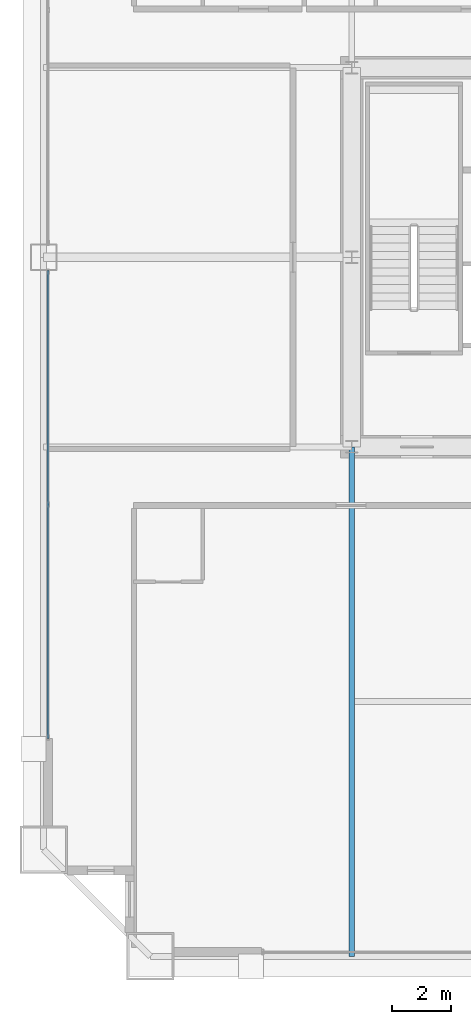
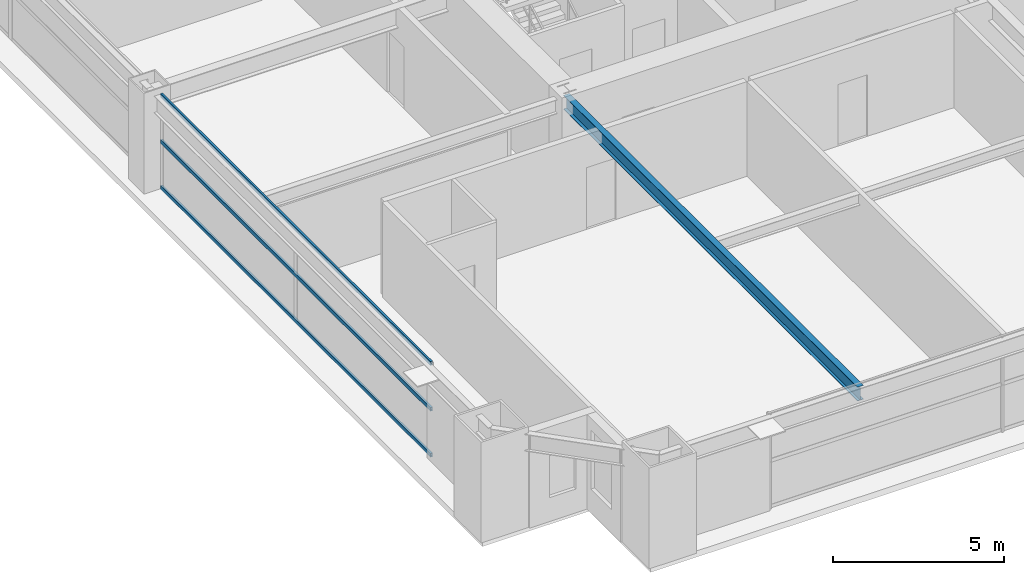
# One storey, part 8 of 38: 3 members, 1 beam, 1 element without a shape of its own.
"""IFC4 building model written with IfcOpenShell, lengths in metres."""

from ifc_helpers import new_model, si_unit, direction, frame, origin, origin_2d, place, context, subcontext, project, spatial, hollow_rectangle, i_section, extrude, source, transform, mapped, material, layer, layer_set, material_profile, profile_set, type_object, element, aggregate, save


model = new_model("IFC4")

# Units and contexts
model_context = context("Model", 3, precision=1e-05, world=origin(), true_north=direction((0.0, 1.0)))
body_context = subcontext(model_context, "Body", "Model", "MODEL_VIEW")
ifc_project = project(units=[si_unit("LENGTHUNIT", "METRE"), si_unit("AREAUNIT", "SQUARE_METRE"), si_unit("VOLUMEUNIT", "CUBIC_METRE"), si_unit("PLANEANGLEUNIT", "RADIAN"), si_unit("MASSUNIT", "GRAM", prefix="KILO"), si_unit("THERMODYNAMICTEMPERATUREUNIT", "KELVIN"), si_unit("POWERUNIT", "WATT")], contexts=[model_context])

# Site, building, storey
site_placement = place(None, origin())
site = spatial("IfcSite", under=ifc_project, at=site_placement, CompositionType="ELEMENT")
building_placement = place(site_placement, origin())
building = spatial("IfcBuilding", under=site, at=building_placement, Name="Yuzanri Waterfront Tower", CompositionType="ELEMENT")
storey_placement = place(building_placement, frame((0.0, 0.0, 119.0)))
storey = spatial("IfcBuildingStorey", under=building, at=storey_placement, Name="L31", CompositionType="ELEMENT", Elevation=119.0)

# Beam
ifc_material_1 = material(Name="Steel Q355B", Category="steel")
ifc_material_profile_1 = material_profile(ifc_material_1, i_section(OverallWidth=0.199951171875, OverallDepth=0.5, WebThickness=0.010009765625, FlangeThickness=0.01611328125, at=origin_2d()), Name="HN 500x200x10x16")
ifc_profile_set_1 = profile_set([ifc_material_profile_1], Name="Steel Q355B")
beam_type = type_object("IfcBeamType", Name="Secondary Floor Beam Q355B HN 500x200", PredefinedType="BEAM", material=ifc_profile_set_1)
shared_shape_1 = source(origin(), body_context, "Body", "SweptSolid", [
    extrude(i_section(OverallWidth=0.199951171875, OverallDepth=0.5, WebThickness=0.010009765625, FlangeThickness=0.01611328125, at=origin_2d()), origin(), (0.0, 0.0, 1.0), 17.199951171875),
])
beam_placement = place(storey_placement, frame((23.800048828125, 19.39990234375, 3.1298828125), z_axis=(0.0, -1.0, 0.0), x_axis=(1.0, 0.0, 0.0)))
element("IfcBeam", 1, at=beam_placement, inside=storey, type_object=beam_type, Name="L31 South-West Core Line Beam", PredefinedType="BEAM", context=body_context, shape_type="MappedRepresentation", body=[
    mapped(shared_shape_1, transform((0.0, 0.0, 0.0), scale=1.0)),
])

# Curtain wall, members
ifc_material_2 = material(Name="Anodized Architectural Bronze", Category="metal")
ifc_layer = layer(ifc_material_2, 0.159912109375)
ifc_layer_set = layer_set([ifc_layer], Name="Anodized Architectural Bronze")
curtain_wall_type = type_object("IfcCurtainWallType", Name="Anodized Bronze Hotel Upper-Tier Solar-Control Unitized Curtain Wall 7800", PredefinedType="NOTDEFINED", material=ifc_layer_set)
curtain_wall_placement = place(storey_placement, origin())
curtain_wall = element("IfcCurtainWall", 2, at=curtain_wall_placement, inside=storey, type_object=curtain_wall_type, Name="L31 Curtain Wall CW-L31-WL", PredefinedType="NOTDEFINED")
ifc_material_3 = material(Name="Anodized Architectural Bronze", Category="metal")
ifc_material_profile_2 = material_profile(ifc_material_3, hollow_rectangle(XDim=0.070068359375, YDim=0.135009765625, WallThickness=0.00341796875, at=origin_2d()), Name="CWT 70x135")
ifc_profile_set_2 = profile_set([ifc_material_profile_2], Name="Anodized Architectural Bronze")
member_type = type_object("IfcMemberType", Name="Anodized Bronze Standard Curtain-Wall Transom 70x135", PredefinedType="USERDEFINED", material=ifc_profile_set_2)
shared_shape_2 = source(origin(), body_context, "Body", "SweptSolid", [
    extrude(hollow_rectangle(XDim=0.070068359375, YDim=0.135009765625, WallThickness=0.00341796875, at=origin_2d()), origin(), (0.0, 0.0, 1.0), 15.800048828125),
])
member_1_placement = place(storey_placement, frame((13.550048828125, 9.550048828125, 0.050048828125), z_axis=(0.0, 1.0, 0.0), x_axis=(-1.0, 0.0, 0.0)))
member_1 = element("IfcMember", 3, at=member_1_placement, type_object=member_type, Name="CW-L31-WL Transom 1", ObjectType="TRANSOM", PredefinedType="USERDEFINED", context=body_context, shape_type="MappedRepresentation", body=[
    mapped(shared_shape_2, transform((0.0, 0.0, 0.0), scale=1.0)),
])
member_2_placement = place(storey_placement, frame((13.550048828125, 9.550048828125, 1.68994140625), z_axis=(0.0, 1.0, 0.0), x_axis=(-1.0, 0.0, 0.0)))
member_2 = element("IfcMember", 4, at=member_2_placement, type_object=member_type, Name="CW-L31-WL Transom 2", ObjectType="TRANSOM", PredefinedType="USERDEFINED", context=body_context, shape_type="MappedRepresentation", body=[
    mapped(shared_shape_2, transform((0.0, 0.0, 0.0), scale=1.0)),
])
member_3_placement = place(storey_placement, frame((13.550048828125, 9.550048828125, 3.330078125), z_axis=(0.0, 1.0, 0.0), x_axis=(-1.0, 0.0, 0.0)))
member_3 = element("IfcMember", 5, at=member_3_placement, type_object=member_type, Name="CW-L31-WL Transom 3", ObjectType="TRANSOM", PredefinedType="USERDEFINED", context=body_context, shape_type="MappedRepresentation", body=[
    mapped(shared_shape_2, transform((0.0, 0.0, 0.0), scale=1.0)),
])
aggregate(curtain_wall, [member_1, member_2, member_3])

save(model, "model.ifc")
